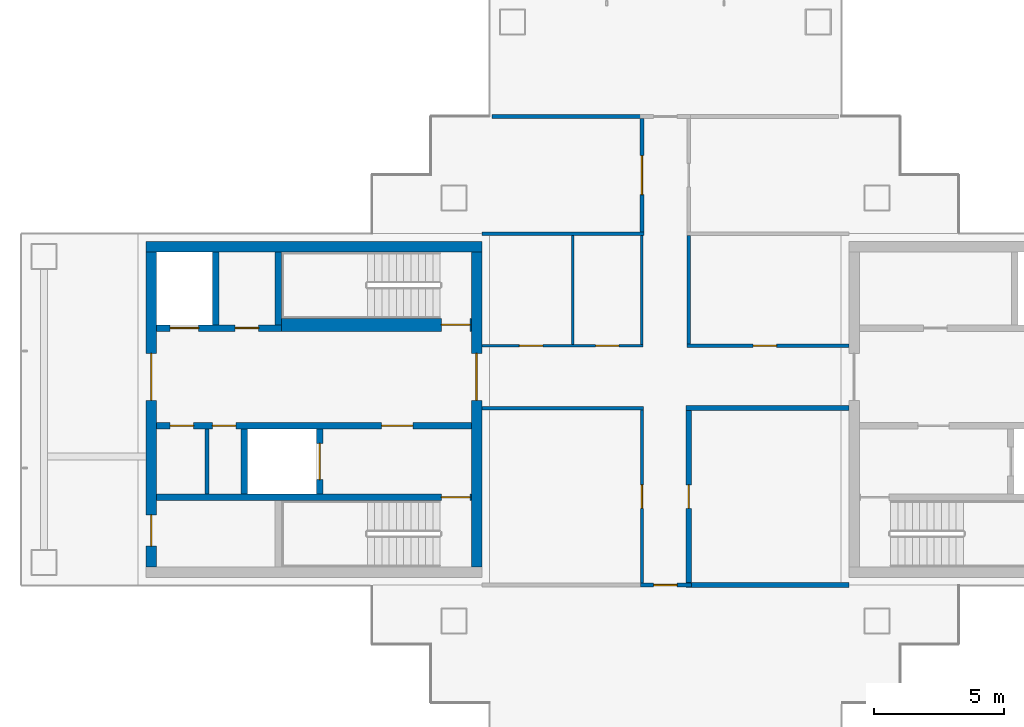
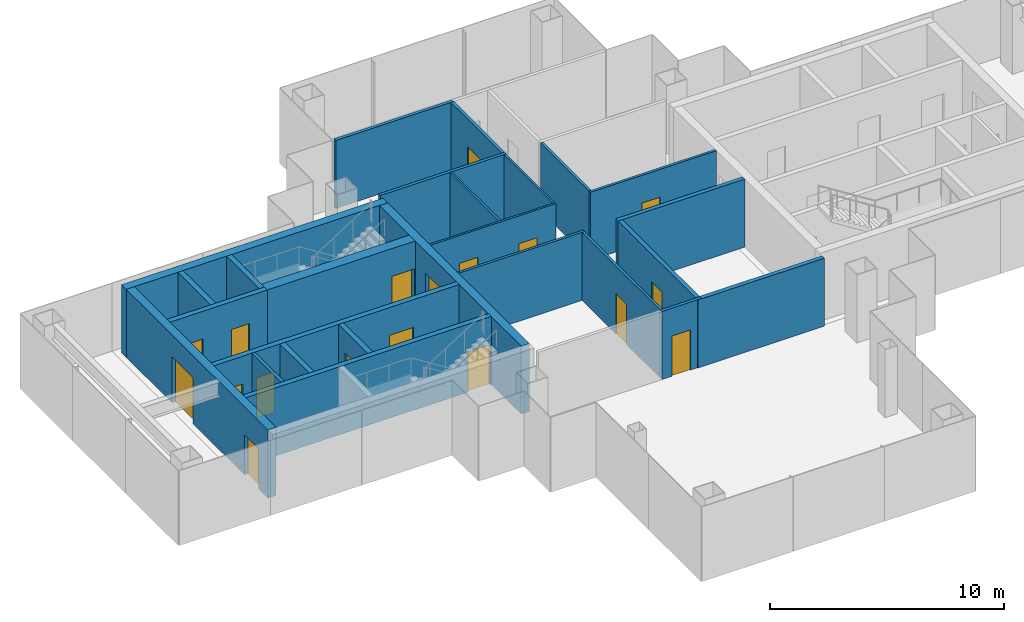
# One storey, part 9 of 16: 26 walls, 18 doors, 18 openings.
"""IFC4 building model written with IfcOpenShell, lengths in metres."""

from ifc_helpers import new_model, si_unit, direction, frame, frame_2d, origin, place, context, subcontext, project, spatial, rectangle, extrude, material, layer, layer_set, type_object, element, fill, save


model = new_model("IFC4")

# Units and contexts
model_context = context("Model", 3, precision=1e-05, world=origin(), true_north=direction((0.0, 1.0)))
body_context = subcontext(model_context, "Body", "Model", "MODEL_VIEW")
ifc_project = project(units=[si_unit("LENGTHUNIT", "METRE"), si_unit("AREAUNIT", "SQUARE_METRE"), si_unit("VOLUMEUNIT", "CUBIC_METRE"), si_unit("PLANEANGLEUNIT", "RADIAN"), si_unit("MASSUNIT", "GRAM", prefix="KILO")], contexts=[model_context])

# Site, building, storey
site_placement = place(None, origin())
site = spatial("IfcSite", under=ifc_project, at=site_placement, CompositionType="ELEMENT")
building_placement = place(site_placement, origin())
building = spatial("IfcBuilding", under=site, at=building_placement, Name="Shamsa Quay Exchange Towers", CompositionType="ELEMENT")
storey_placement = place(building_placement, frame((0.0, 0.0, 210.0)))
storey = spatial("IfcBuildingStorey", under=building, at=storey_placement, Name="L50", CompositionType="ELEMENT", Elevation=210.0)

# Wall
ifc_material_1 = material(Name="Concrete C60/75", Category="concrete")
ifc_layer_1 = layer(ifc_material_1, 0.39990234375)
ifc_layer_set_1 = layer_set([ifc_layer_1], Name="CORE WALL 400 C60/75")
wall_type_1 = type_object("IfcWallType", Name="CORE WALL 400 C60/75", PredefinedType="SHEAR", material=ifc_layer_set_1)
wall_1_placement = place(storey_placement, frame((-40.800048828125, 6.25, 0.0), z_axis=(0.0, 0.0, 1.0), x_axis=(-1.0, 0.0, 0.0)))
element("IfcWall", 1, at=wall_1_placement, inside=storey, type_object=wall_type_1, Name="Core wall T1B-R23-PN", PredefinedType="SHEAR", context=body_context, shape_type="SweptSolid", body=[
    extrude(rectangle(XDim=12.89990234375, YDim=0.39990234375, at=frame_2d((6.449951171875, 0.0))), origin(), (0.0, 0.0, 1.0), 3.550048828125),
])

# Wall, opening, door
wall_2_placement = place(storey_placement, frame((-41.0, -6.050048828125, 0.0), z_axis=(0.0, 0.0, 1.0), x_axis=(0.0, 1.0, 0.0)))
wall_2 = element("IfcWall", 2, at=wall_2_placement, inside=storey, type_object=wall_type_1, Name="Core wall T1B-R23-PF", PredefinedType="SHEAR", context=body_context, shape_type="SweptSolid", body=[
    extrude(rectangle(XDim=12.10009765625, YDim=0.39990234375, at=frame_2d((6.050048828125, 0.0))), origin(), (0.0, 0.0, 1.0), 3.550048828125),
])
opening_1_placement = place(wall_2_placement, frame((6.39990234375, 0.0, 0.0)))
opening_1 = element("IfcOpeningElement", 3, at=opening_1_placement, cuts=wall_2, Name="Opening T1B-R23-LBD01", PredefinedType="OPENING", context=body_context, shape_type="SweptSolid", body=[
    extrude(rectangle(XDim=1.800048828125, YDim=2.39990234375, at=frame_2d((0.89990234375, 1.199951171875))), frame((0.0, 0.2099609375, 0.0), z_axis=(0.0, -1.0, 0.0), x_axis=(1.0, 0.0, 0.0)), (0.0, 0.0, 1.0), 0.419921875),
])
ifc_material_2 = material(Name="Steel, fire rated", Category="steel")
door_type_1 = type_object("IfcDoorType", Name="LIFT LOBBY DOOR PAIR 1800", OperationType="DOUBLE_DOOR_SINGLE_SWING", PredefinedType="DOOR", material=ifc_material_2)
door_1_placement = place(opening_1_placement, origin())
door_1 = element("IfcDoor", 4, at=door_1_placement, inside=storey, type_object=door_type_1, Name="T1B-R23-LBD01", OperationType="DOUBLE_DOOR_SINGLE_SWING", OverallHeight=2.39990234375, OverallWidth=1.800048828125, PredefinedType="DOOR", context=body_context, shape_type="SweptSolid", body=[
    extrude(rectangle(XDim=1.800048828125, YDim=2.39990234375, at=frame_2d((0.89990234375, 1.199951171875))), frame((0.0, 0.02490234375, 0.0), z_axis=(0.0, -1.0, 0.0), x_axis=(1.0, 0.0, 0.0)), (0.0, 0.0, 1.0), 0.050048828125),
])
fill(opening_1, door_1)

# Wall, openings, doors
wall_3_placement = place(storey_placement, frame((-53.5, -6.050048828125, 0.0), z_axis=(0.0, 0.0, 1.0), x_axis=(0.0, 1.0, 0.0)))
wall_3 = element("IfcWall", 5, at=wall_3_placement, inside=storey, type_object=wall_type_1, Name="Core wall T1B-R23-PB", PredefinedType="SHEAR", context=body_context, shape_type="SweptSolid", body=[
    extrude(rectangle(XDim=12.10009765625, YDim=0.39990234375, at=frame_2d((6.050048828125, 0.0))), origin(), (0.0, 0.0, 1.0), 3.550048828125),
])
opening_2_placement = place(wall_3_placement, frame((0.800048828125, 0.0, 0.0)))
opening_2 = element("IfcOpeningElement", 6, at=opening_2_placement, cuts=wall_3, Name="Opening T1B-R23-RD02", PredefinedType="OPENING", context=body_context, shape_type="SweptSolid", body=[
    extrude(rectangle(XDim=1.199951171875, YDim=2.10009765625, at=frame_2d((0.60009765625, 1.050048828125))), frame((0.0, 0.2099609375, 0.0), z_axis=(0.0, -1.0, 0.0), x_axis=(1.0, 0.0, 0.0)), (0.0, 0.0, 1.0), 0.419921875),
])
opening_3_placement = place(wall_3_placement, frame((6.39990234375, 0.0, 0.0)))
opening_3 = element("IfcOpeningElement", 7, at=opening_3_placement, cuts=wall_3, Name="Opening T1B-R23-LBD03", PredefinedType="OPENING", context=body_context, shape_type="SweptSolid", body=[
    extrude(rectangle(XDim=1.800048828125, YDim=2.39990234375, at=frame_2d((0.89990234375, 1.199951171875))), frame((0.0, 0.2099609375, 0.0), z_axis=(0.0, -1.0, 0.0), x_axis=(1.0, 0.0, 0.0)), (0.0, 0.0, 1.0), 0.419921875),
])
door_2_placement = place(opening_3_placement, origin())
door_2 = element("IfcDoor", 8, at=door_2_placement, inside=storey, type_object=door_type_1, Name="T1B-R23-LBD03", OperationType="DOUBLE_DOOR_SINGLE_SWING", OverallHeight=2.39990234375, OverallWidth=1.800048828125, PredefinedType="DOOR", context=body_context, shape_type="SweptSolid", body=[
    extrude(rectangle(XDim=1.800048828125, YDim=2.39990234375, at=frame_2d((0.89990234375, 1.199951171875))), frame((0.0, 0.02490234375, 0.0), z_axis=(0.0, -1.0, 0.0), x_axis=(1.0, 0.0, 0.0)), (0.0, 0.0, 1.0), 0.050048828125),
])
fill(opening_3, door_2)
door_type_2 = type_object("IfcDoorType", Name="RISER ACCESS DOOR 1200", OperationType="SINGLE_SWING_LEFT", PredefinedType="DOOR", material=ifc_material_2)
door_3_placement = place(opening_2_placement, origin())
door_3 = element("IfcDoor", 9, at=door_3_placement, inside=storey, type_object=door_type_2, Name="T1B-R23-RD02", OperationType="SINGLE_SWING_LEFT", OverallHeight=2.10009765625, OverallWidth=1.199951171875, PredefinedType="DOOR", context=body_context, shape_type="SweptSolid", body=[
    extrude(rectangle(XDim=1.199951171875, YDim=2.10009765625, at=frame_2d((0.60009765625, 1.050048828125))), frame((0.0, 0.02490234375, 0.0), z_axis=(0.0, -1.0, 0.0), x_axis=(1.0, 0.0, 0.0)), (0.0, 0.0, 1.0), 0.050048828125),
])
fill(opening_2, door_3)

# Walls
ifc_material_3 = material(Name="Gypsum board on steel studs, EI 60", Category="steel")
ifc_layer_2 = layer(ifc_material_3, 0.14990234375)
ifc_layer_set_2 = layer_set([ifc_layer_2], Name="FIRE PARTITION 150")
wall_type_2 = type_object("IfcWallType", Name="FIRE PARTITION 150", PredefinedType="PARTITIONING", material=ifc_layer_set_2)
wall_4_placement = place(storey_placement, frame((-51.35009765625, -3.25, 0.0), z_axis=(0.0, 0.0, 1.0), x_axis=(0.0, 1.0, 0.0)))
element("IfcWall", 10, at=wall_4_placement, inside=storey, type_object=wall_type_2, Name="Partition T1B-R23-EC0", PredefinedType="PARTITIONING", context=body_context, shape_type="SweptSolid", body=[
    extrude(rectangle(XDim=2.5, YDim=0.14990234375, at=frame_2d((1.25, 0.0))), origin(), (0.0, 0.0, 1.0), 3.550048828125),
])
ifc_material_4 = material(Name="Laminated fire-resisting glass in a metal frame", Category="glass")
ifc_layer_3 = layer(ifc_material_4, 0.125)
ifc_layer_set_3 = layer_set([ifc_layer_3], Name="Glazed partition 125 mm EI 60")
wall_type_3 = type_object("IfcWallType", Name="Glazed partition 125 mm EI 60", PredefinedType="PARTITIONING", material=ifc_layer_set_3)
wall_5_placement = place(storey_placement, frame((-32.849609375, 6.675048828125, 0.0), z_axis=(0.0, 0.0, 1.0), x_axis=(0.0, -1.0, 0.0)))
element("IfcWall", 11, at=wall_5_placement, inside=storey, type_object=wall_type_3, Name="Partition T1-R23-W01", PredefinedType="PARTITIONING", context=body_context, shape_type="SweptSolid", body=[
    extrude(rectangle(XDim=4.162353515625, YDim=0.125, at=frame_2d((2.0810546875, 0.0))), origin(), (0.0, 0.0, 1.0), 3.550048828125),
])

# Wall, opening, door
wall_6_placement = place(storey_placement, frame((-32.912109375, 2.4501953125, 0.0)))
wall_6 = element("IfcWall", 12, at=wall_6_placement, inside=storey, type_object=wall_type_3, Name="Partition T1-R23-W02", PredefinedType="PARTITIONING", context=body_context, shape_type="SweptSolid", body=[
    extrude(rectangle(XDim=6.212158203125, YDim=0.125, at=frame_2d((3.10595703125, 0.0))), origin(), (0.0, 0.0, 1.0), 3.550048828125),
])
opening_4_placement = place(wall_6_placement, frame((2.537353515625, 0.0, 0.0)))
opening_4 = element("IfcOpeningElement", 13, at=opening_4_placement, cuts=wall_6, Name="Opening T1-R23-D08", PredefinedType="OPENING", context=body_context, shape_type="SweptSolid", body=[
    extrude(rectangle(XDim=0.89990234375, YDim=2.10009765625, at=frame_2d((0.449951171875, 1.050048828125))), frame((0.0, 0.072509765625, 0.0), z_axis=(0.0, -1.0, 0.0), x_axis=(1.0, 0.0, 0.0)), (0.0, 0.0, 1.0), 0.14501953125),
])
ifc_material_5 = material(Name="Timber door leaf in a metal frame", Category="wood")
door_type_3 = type_object("IfcDoorType", Name="Door 900x2100 FD30S", OperationType="NOTDEFINED", PredefinedType="DOOR", material=ifc_material_5)
door_4_placement = place(opening_4_placement, origin())
door_4 = element("IfcDoor", 14, at=door_4_placement, inside=storey, type_object=door_type_3, Name="Door T1-R23-D08", OperationType="SINGLE_SWING_RIGHT", OverallHeight=2.10009765625, OverallWidth=0.89990234375, PredefinedType="DOOR", context=body_context, shape_type="SweptSolid", body=[
    extrude(rectangle(XDim=0.89990234375, YDim=2.10009765625, at=frame_2d((0.449951171875, 1.050048828125))), frame((0.0, 0.02490234375, 0.0), z_axis=(0.0, -1.0, 0.0), x_axis=(1.0, 0.0, 0.0)), (0.0, 0.0, 1.0), 0.050048828125),
])
fill(opening_4, door_4)

wall_7_placement = place(storey_placement, frame((-34.650390625, -6.675048828125, 0.0), z_axis=(0.0, 0.0, 1.0), x_axis=(0.0, 1.0, 0.0)))
wall_7 = element("IfcWall", 15, at=wall_7_placement, inside=storey, type_object=wall_type_3, Name="Partition T1-R23-W07", PredefinedType="PARTITIONING", context=body_context, shape_type="SweptSolid", body=[
    extrude(rectangle(XDim=6.662353515625, YDim=0.125, at=frame_2d((3.3310546875, 0.0))), origin(), (0.0, 0.0, 1.0), 3.550048828125),
])
opening_5_placement = place(wall_7_placement, frame((2.875, 0.0, 0.0)))
opening_5 = element("IfcOpeningElement", 16, at=opening_5_placement, cuts=wall_7, Name="Opening T1-R23-D03", PredefinedType="OPENING", context=body_context, shape_type="SweptSolid", body=[
    extrude(rectangle(XDim=0.89990234375, YDim=2.10009765625, at=frame_2d((0.449951171875, 1.050048828125))), frame((0.0, 0.072509765625, 0.0), z_axis=(0.0, -1.0, 0.0), x_axis=(1.0, 0.0, 0.0)), (0.0, 0.0, 1.0), 0.14501953125),
])
door_5_placement = place(opening_5_placement, origin())
door_5 = element("IfcDoor", 17, at=door_5_placement, inside=storey, type_object=door_type_3, Name="Door T1-R23-D03", OperationType="SINGLE_SWING_RIGHT", OverallHeight=2.10009765625, OverallWidth=0.89990234375, PredefinedType="DOOR", context=body_context, shape_type="SweptSolid", body=[
    extrude(rectangle(XDim=0.89990234375, YDim=2.10009765625, at=frame_2d((0.449951171875, 1.050048828125))), frame((0.0, 0.02490234375, 0.0), z_axis=(0.0, -1.0, 0.0), x_axis=(1.0, 0.0, 0.0)), (0.0, 0.0, 1.0), 0.050048828125),
])
fill(opening_5, door_5)

# Wall
wall_8_placement = place(storey_placement, frame((-34.587890625, 0.0498046875, 0.0), z_axis=(0.0, 0.0, 1.0), x_axis=(-1.0, 0.0, 0.0)))
element("IfcWall", 18, at=wall_8_placement, inside=storey, type_object=wall_type_3, Name="Partition T1-R23-W08", PredefinedType="PARTITIONING", context=body_context, shape_type="SweptSolid", body=[
    extrude(rectangle(XDim=6.212158203125, YDim=0.125, at=frame_2d((3.10595703125, 0.0))), origin(), (0.0, 0.0, 1.0), 3.550048828125),
])

# Wall, openings, doors
ifc_material_6 = material(Name="Gypsum board partition on metal studs")
ifc_layer_4 = layer(ifc_material_6, 0.10009765625)
ifc_layer_set_4 = layer_set([ifc_layer_4], Name="Partition 100 mm NOT RATED")
wall_type_4 = type_object("IfcWallType", Name="Partition 100 mm NOT RATED", PredefinedType="PARTITIONING", material=ifc_layer_set_4)
wall_9_placement = place(storey_placement, frame((-40.800048828125, 2.4501953125, 0.0)))
wall_9 = element("IfcWall", 19, at=wall_9_placement, inside=storey, type_object=wall_type_4, Name="Partition T1-R23-W05", PredefinedType="PARTITIONING", context=body_context, shape_type="SweptSolid", body=[
    extrude(rectangle(XDim=6.19970703125, YDim=0.10009765625, at=frame_2d((3.099853515625, 0.0))), origin(), (0.0, 0.0, 1.0), 3.550048828125),
])
opening_6_placement = place(wall_9_placement, frame((1.44384765625, 0.0, 0.0)))
opening_6 = element("IfcOpeningElement", 20, at=opening_6_placement, cuts=wall_9, Name="Opening T1-R23-D01", PredefinedType="OPENING", context=body_context, shape_type="SweptSolid", body=[
    extrude(rectangle(XDim=0.89990234375, YDim=2.10009765625, at=frame_2d((0.449951171875, 1.050048828125))), frame((0.0, 0.06005859375, 0.0), z_axis=(0.0, -1.0, 0.0), x_axis=(1.0, 0.0, 0.0)), (0.0, 0.0, 1.0), 0.1201171875),
])
opening_7_placement = place(wall_9_placement, frame((4.368408203125, 0.0, 0.0)))
opening_7 = element("IfcOpeningElement", 21, at=opening_7_placement, cuts=wall_9, Name="Opening T1-R23-D02", PredefinedType="OPENING", context=body_context, shape_type="SweptSolid", body=[
    extrude(rectangle(XDim=0.89990234375, YDim=2.10009765625, at=frame_2d((0.449951171875, 1.050048828125))), frame((0.0, 0.06005859375, 0.0), z_axis=(0.0, -1.0, 0.0), x_axis=(1.0, 0.0, 0.0)), (0.0, 0.0, 1.0), 0.1201171875),
])
door_type_4 = type_object("IfcDoorType", Name="Door 900x2100 NOT RATED", OperationType="NOTDEFINED", PredefinedType="DOOR", material=ifc_material_5)
door_6_placement = place(opening_6_placement, origin())
door_6 = element("IfcDoor", 22, at=door_6_placement, inside=storey, type_object=door_type_4, Name="Door T1-R23-D01", OperationType="SINGLE_SWING_LEFT", OverallHeight=2.10009765625, OverallWidth=0.89990234375, PredefinedType="DOOR", context=body_context, shape_type="SweptSolid", body=[
    extrude(rectangle(XDim=0.89990234375, YDim=2.10009765625, at=frame_2d((0.449951171875, 1.050048828125))), frame((0.0, 0.02490234375, 0.0), z_axis=(0.0, -1.0, 0.0), x_axis=(1.0, 0.0, 0.0)), (0.0, 0.0, 1.0), 0.050048828125),
])
fill(opening_6, door_6)
door_7_placement = place(opening_7_placement, origin())
door_7 = element("IfcDoor", 23, at=door_7_placement, inside=storey, type_object=door_type_4, Name="Door T1-R23-D02", OperationType="SINGLE_SWING_RIGHT", OverallHeight=2.10009765625, OverallWidth=0.89990234375, PredefinedType="DOOR", context=body_context, shape_type="SweptSolid", body=[
    extrude(rectangle(XDim=0.89990234375, YDim=2.10009765625, at=frame_2d((0.449951171875, 1.050048828125))), frame((0.0, 0.02490234375, 0.0), z_axis=(0.0, -1.0, 0.0), x_axis=(1.0, 0.0, 0.0)), (0.0, 0.0, 1.0), 0.050048828125),
])
fill(opening_7, door_7)

# Walls
for number, where, z_axis, x_axis, name in (
    (24, (-34.650390625, 2.500244140625, 0.0), (0.0, 0.0, 1.0), (0.0, 1.0, 0.0), "Partition T1-R23-W06"),
    (25, (-37.3125, 2.500244140625, 0.0), (0.0, 0.0, 1.0), (0.0, 1.0, 0.0), "Partition T1-R23-W16"),
):
    element("IfcWall", number, at=place(storey_placement, frame(where, z_axis=z_axis, x_axis=x_axis)), inside=storey, type_object=wall_type_4, Name=name, PredefinedType="PARTITIONING", context=body_context, shape_type="SweptSolid", body=[
        extrude(rectangle(XDim=4.1748046875, YDim=0.10009765625, at=frame_2d((2.08740234375, 0.0))), origin(), (0.0, 0.0, 1.0), 3.550048828125),
    ])

# Wall, opening, door
ifc_layer_5 = layer(ifc_material_6, 0.14990234375)
ifc_layer_set_5 = layer_set([ifc_layer_5], Name="Partition 150 mm EI 60")
wall_type_5 = type_object("IfcWallType", Name="Partition 150 mm EI 60", PredefinedType="PARTITIONING", material=ifc_layer_set_5)
wall_10_placement = place(storey_placement, frame((-34.650390625, 6.824951171875, 0.0), z_axis=(0.0, 0.0, 1.0), x_axis=(0.0, 1.0, 0.0)))
wall_10 = element("IfcWall", 26, at=wall_10_placement, inside=storey, type_object=wall_type_5, Name="Partition T1-R23-W10", PredefinedType="PARTITIONING", context=body_context, shape_type="SweptSolid", body=[
    extrude(rectangle(XDim=4.35009765625, YDim=0.14990234375, at=frame_2d((2.175048828125, 0.0))), origin(), (0.0, 0.0, 1.0), 3.550048828125),
])
opening_8_placement = place(wall_10_placement, frame((1.425048828125, 0.0, 0.0)))
opening_8 = element("IfcOpeningElement", 27, at=opening_8_placement, cuts=wall_10, Name="Opening T1-R23-D04", PredefinedType="OPENING", context=body_context, shape_type="SweptSolid", body=[
    extrude(rectangle(XDim=1.5, YDim=2.10009765625, at=frame_2d((0.75, 1.050048828125))), frame((0.0, 0.0849609375, 0.0), z_axis=(0.0, -1.0, 0.0), x_axis=(1.0, 0.0, 0.0)), (0.0, 0.0, 1.0), 0.169921875),
])
door_type_5 = type_object("IfcDoorType", Name="Door 1500x2100 FD30S pair", OperationType="NOTDEFINED", PredefinedType="DOOR", material=ifc_material_5)
door_8_placement = place(opening_8_placement, origin())
door_8 = element("IfcDoor", 28, at=door_8_placement, inside=storey, type_object=door_type_5, Name="Door T1-R23-D04", OperationType="DOUBLE_DOOR_SINGLE_SWING", OverallHeight=2.10009765625, OverallWidth=1.5, PredefinedType="DOOR", context=body_context, shape_type="SweptSolid", body=[
    extrude(rectangle(XDim=1.5, YDim=2.10009765625, at=frame_2d((0.75, 1.050048828125))), frame((0.0, 0.02490234375, 0.0), z_axis=(0.0, -1.0, 0.0), x_axis=(1.0, 0.0, 0.0)), (0.0, 0.0, 1.0), 0.050048828125),
])
fill(opening_8, door_8)

wall_11_placement = place(storey_placement, frame((-32.74951171875, -6.75, 0.0), z_axis=(0.0, 0.0, 1.0), x_axis=(-1.0, 0.0, 0.0)))
wall_11 = element("IfcWall", 29, at=wall_11_placement, inside=storey, type_object=wall_type_5, Name="Partition T1-R23-W12", PredefinedType="PARTITIONING", context=body_context, shape_type="SweptSolid", body=[
    extrude(rectangle(XDim=1.96337890625, YDim=0.14990234375, at=frame_2d((0.981689453125, 0.0))), origin(), (0.0, 0.0, 1.0), 3.550048828125),
])
opening_9_placement = place(wall_11_placement, frame((0.55029296875, 0.0, 0.0)))
opening_9 = element("IfcOpeningElement", 30, at=opening_9_placement, cuts=wall_11, Name="Opening T1-R23-D06", PredefinedType="OPENING", context=body_context, shape_type="SweptSolid", body=[
    extrude(rectangle(XDim=0.89990234375, YDim=2.10009765625, at=frame_2d((0.449951171875, 1.050048828125))), frame((0.0, 0.0849609375, 0.0), z_axis=(0.0, -1.0, 0.0), x_axis=(1.0, 0.0, 0.0)), (0.0, 0.0, 1.0), 0.169921875),
])
door_9_placement = place(opening_9_placement, origin())
door_9 = element("IfcDoor", 31, at=door_9_placement, inside=storey, type_object=door_type_3, Name="Door T1-R23-D06", OperationType="SINGLE_SWING_LEFT", OverallHeight=2.10009765625, OverallWidth=0.89990234375, PredefinedType="DOOR", context=body_context, shape_type="SweptSolid", body=[
    extrude(rectangle(XDim=0.89990234375, YDim=2.10009765625, at=frame_2d((0.449951171875, 1.050048828125))), frame((0.0, 0.02490234375, 0.0), z_axis=(0.0, -1.0, 0.0), x_axis=(1.0, 0.0, 0.0)), (0.0, 0.0, 1.0), 0.050048828125),
])
fill(opening_9, door_9)

# Walls
wall_12_placement = place(storey_placement, frame((-34.575439453125, 6.75, 0.0), z_axis=(0.0, 0.0, 1.0), x_axis=(-1.0, 0.0, 0.0)))
element("IfcWall", 32, at=wall_12_placement, inside=storey, type_object=wall_type_5, Name="Partition T1-R23-W14", PredefinedType="PARTITIONING", context=body_context, shape_type="SweptSolid", body=[
    extrude(rectangle(XDim=6.224609375, YDim=0.14990234375, at=frame_2d((3.1123046875, 0.0))), origin(), (0.0, 0.0, 1.0), 3.550048828125),
])
wall_13_placement = place(storey_placement, frame((-34.575439453125, 11.25, 0.0), z_axis=(0.0, 0.0, 1.0), x_axis=(-1.0, 0.0, 0.0)))
element("IfcWall", 33, at=wall_13_placement, inside=storey, type_object=wall_type_5, Name="Partition T1-R23-W19", PredefinedType="PARTITIONING", context=body_context, shape_type="SweptSolid", body=[
    extrude(rectangle(XDim=5.82958984375, YDim=0.14990234375, at=frame_2d((2.914794921875, 0.0))), origin(), (0.0, 0.0, 1.0), 3.550048828125),
])
ifc_layer_6 = layer(ifc_material_6, 0.199951171875)
ifc_layer_set_6 = layer_set([ifc_layer_6], Name="Partition 200 mm EI 120")
wall_type_6 = type_object("IfcWallType", Name="Partition 200 mm EI 120", PredefinedType="PARTITIONING", material=ifc_layer_set_6)
wall_14_placement = place(storey_placement, frame((-26.699951171875, 0.0498046875, 0.0), z_axis=(0.0, 0.0, 1.0), x_axis=(-1.0, 0.0, 0.0)))
element("IfcWall", 34, at=wall_14_placement, inside=storey, type_object=wall_type_6, Name="Partition T1-R23-W03", PredefinedType="PARTITIONING", context=body_context, shape_type="SweptSolid", body=[
    extrude(rectangle(XDim=6.249755859375, YDim=0.199951171875, at=frame_2d((3.125, 0.0))), origin(), (0.0, 0.0, 1.0), 3.550048828125),
])

# Wall, opening, door
wall_15_placement = place(storey_placement, frame((-32.849609375, -0.05029296875, 0.0), z_axis=(0.0, 0.0, 1.0), x_axis=(0.0, -1.0, 0.0)))
wall_15 = element("IfcWall", 35, at=wall_15_placement, inside=storey, type_object=wall_type_6, Name="Partition T1-R23-W04", PredefinedType="PARTITIONING", context=body_context, shape_type="SweptSolid", body=[
    extrude(rectangle(XDim=6.599609375, YDim=0.199951171875, at=frame_2d((3.2998046875, 0.0))), origin(), (0.0, 0.0, 1.0), 3.550048828125),
])
opening_10_placement = place(wall_15_placement, frame((2.849853515625, 0.0, 0.0)))
opening_10 = element("IfcOpeningElement", 36, at=opening_10_placement, cuts=wall_15, Name="Opening T1-R23-D07", PredefinedType="OPENING", context=body_context, shape_type="SweptSolid", body=[
    extrude(rectangle(XDim=0.89990234375, YDim=2.10009765625, at=frame_2d((0.449951171875, 1.050048828125))), frame((0.0, 0.10986328125, 0.0), z_axis=(0.0, -1.0, 0.0), x_axis=(1.0, 0.0, 0.0)), (0.0, 0.0, 1.0), 0.219970703125),
])
door_type_6 = type_object("IfcDoorType", Name="Door 900x2100 FD60", OperationType="NOTDEFINED", PredefinedType="DOOR", material=ifc_material_5)
door_10_placement = place(opening_10_placement, origin())
door_10 = element("IfcDoor", 37, at=door_10_placement, inside=storey, type_object=door_type_6, Name="Door T1-R23-D07", OperationType="SINGLE_SWING_LEFT", OverallHeight=2.10009765625, OverallWidth=0.89990234375, PredefinedType="DOOR", context=body_context, shape_type="SweptSolid", body=[
    extrude(rectangle(XDim=0.89990234375, YDim=2.10009765625, at=frame_2d((0.449951171875, 1.050048828125))), frame((0.0, 0.02490234375, 0.0), z_axis=(0.0, -1.0, 0.0), x_axis=(1.0, 0.0, 0.0)), (0.0, 0.0, 1.0), 0.050048828125),
])
fill(opening_10, door_10)

# Wall
wall_16_placement = place(storey_placement, frame((-32.94970703125, -6.75, 0.0)))
element("IfcWall", 38, at=wall_16_placement, inside=storey, type_object=wall_type_6, Name="Partition T1-R23-W15", PredefinedType="PARTITIONING", context=body_context, shape_type="SweptSolid", body=[
    extrude(rectangle(XDim=6.249755859375, YDim=0.199951171875, at=frame_2d((3.125, 0.0))), origin(), (0.0, 0.0, 1.0), 3.550048828125),
])

# Wall, opening, door
ifc_material_7 = material(Name="Concrete C50/60", Category="concrete")
ifc_layer_7 = layer(ifc_material_7, 0.25)
ifc_layer_set_7 = layer_set([ifc_layer_7], Name="SHAFT WALL 250 C50/60")
wall_type_7 = type_object("IfcWallType", Name="SHAFT WALL 250 C50/60", PredefinedType="SHEAR", material=ifc_layer_set_7)
wall_17_placement = place(storey_placement, frame((-41.199951171875, -3.375, 0.0), z_axis=(0.0, 0.0, 1.0), x_axis=(-1.0, 0.0, 0.0)))
wall_17 = element("IfcWall", 39, at=wall_17_placement, inside=storey, type_object=wall_type_7, Name="Shaft wall T1B-R23-STL", PredefinedType="SHEAR", context=body_context, shape_type="SweptSolid", body=[
    extrude(rectangle(XDim=12.10009765625, YDim=0.25, at=frame_2d((6.050048828125, 0.0))), origin(), (0.0, 0.0, 1.0), 3.550048828125),
])
opening_11_placement = place(wall_17_placement, frame((0.050048828125, 0.0, 0.0)))
opening_11 = element("IfcOpeningElement", 40, at=opening_11_placement, cuts=wall_17, Name="Opening T1B-R23-SD04", PredefinedType="OPENING", context=body_context, shape_type="SweptSolid", body=[
    extrude(rectangle(XDim=1.10009765625, YDim=2.10009765625, at=frame_2d((0.550048828125, 1.050048828125))), frame((0.0, 0.135009765625, 0.0), z_axis=(0.0, -1.0, 0.0), x_axis=(1.0, 0.0, 0.0)), (0.0, 0.0, 1.0), 0.27001953125),
])
door_type_7 = type_object("IfcDoorType", Name="STAIR DOOR 1100", OperationType="SINGLE_SWING_LEFT", PredefinedType="DOOR", material=ifc_material_2)
door_11_placement = place(opening_11_placement, origin())
door_11 = element("IfcDoor", 41, at=door_11_placement, inside=storey, type_object=door_type_7, Name="T1B-R23-SD04", OperationType="SINGLE_SWING_LEFT", OverallHeight=2.10009765625, OverallWidth=1.10009765625, PredefinedType="DOOR", context=body_context, shape_type="SweptSolid", body=[
    extrude(rectangle(XDim=1.10009765625, YDim=2.10009765625, at=frame_2d((0.550048828125, 1.050048828125))), frame((0.0, 0.02490234375, 0.0), z_axis=(0.0, -1.0, 0.0), x_axis=(1.0, 0.0, 0.0)), (0.0, 0.0, 1.0), 0.050048828125),
])
fill(opening_11, door_11)

# Wall, openings, doors
wall_18_placement = place(storey_placement, frame((-41.199951171875, -0.625, 0.0), z_axis=(0.0, 0.0, 1.0), x_axis=(-1.0, 0.0, 0.0)))
wall_18 = element("IfcWall", 42, at=wall_18_placement, inside=storey, type_object=wall_type_7, Name="Shaft wall T1B-R23-B", PredefinedType="SHEAR", context=body_context, shape_type="SweptSolid", body=[
    extrude(rectangle(XDim=12.10009765625, YDim=0.25, at=frame_2d((6.050048828125, 0.0))), origin(), (0.0, 0.0, 1.0), 3.550048828125),
])
opening_12_placement = place(wall_18_placement, frame((2.25, 0.0, 0.0)))
opening_12 = element("IfcOpeningElement", 43, at=opening_12_placement, cuts=wall_18, Name="Opening T1B-R23-FD05", PredefinedType="OPENING", context=body_context, shape_type="SweptSolid", body=[
    extrude(rectangle(XDim=1.199951171875, YDim=2.10009765625, at=frame_2d((0.60009765625, 1.050048828125))), frame((0.0, 0.135009765625, 0.0), z_axis=(0.0, -1.0, 0.0), x_axis=(1.0, 0.0, 0.0)), (0.0, 0.0, 1.0), 0.27001953125),
])
opening_13_placement = place(wall_18_placement, frame((9.050048828125, 0.0, 0.0)))
opening_13 = element("IfcOpeningElement", 44, at=opening_13_placement, cuts=wall_18, Name="Opening T1B-R23-SV06", PredefinedType="OPENING", context=body_context, shape_type="SweptSolid", body=[
    extrude(rectangle(XDim=0.89990234375, YDim=2.10009765625, at=frame_2d((0.449951171875, 1.050048828125))), frame((0.0, 0.135009765625, 0.0), z_axis=(0.0, -1.0, 0.0), x_axis=(1.0, 0.0, 0.0)), (0.0, 0.0, 1.0), 0.27001953125),
])
opening_14_placement = place(wall_18_placement, frame((10.675048828125, 0.0, 0.0)))
opening_14 = element("IfcOpeningElement", 45, at=opening_14_placement, cuts=wall_18, Name="Opening T1B-R23-SV07", PredefinedType="OPENING", context=body_context, shape_type="SweptSolid", body=[
    extrude(rectangle(XDim=0.89990234375, YDim=2.10009765625, at=frame_2d((0.449951171875, 1.050048828125))), frame((0.0, 0.135009765625, 0.0), z_axis=(0.0, -1.0, 0.0), x_axis=(1.0, 0.0, 0.0)), (0.0, 0.0, 1.0), 0.27001953125),
])
door_type_8 = type_object("IfcDoorType", Name="FIRE SERVICE LOBBY DOOR 1200", OperationType="SINGLE_SWING_LEFT", PredefinedType="DOOR", material=ifc_material_2)
door_12_placement = place(opening_12_placement, origin())
door_12 = element("IfcDoor", 46, at=door_12_placement, inside=storey, type_object=door_type_8, Name="T1B-R23-FD05", OperationType="SINGLE_SWING_LEFT", OverallHeight=2.10009765625, OverallWidth=1.199951171875, PredefinedType="DOOR", context=body_context, shape_type="SweptSolid", body=[
    extrude(rectangle(XDim=1.199951171875, YDim=2.10009765625, at=frame_2d((0.60009765625, 1.050048828125))), frame((0.0, 0.02490234375, 0.0), z_axis=(0.0, -1.0, 0.0), x_axis=(1.0, 0.0, 0.0)), (0.0, 0.0, 1.0), 0.050048828125),
])
fill(opening_12, door_12)
door_type_9 = type_object("IfcDoorType", Name="SERVICE ROOM DOOR 900", OperationType="SINGLE_SWING_LEFT", PredefinedType="DOOR", material=ifc_material_2)
door_13_placement = place(opening_13_placement, origin())
door_13 = element("IfcDoor", 47, at=door_13_placement, inside=storey, type_object=door_type_9, Name="T1B-R23-SV06", OperationType="SINGLE_SWING_RIGHT", OverallHeight=2.10009765625, OverallWidth=0.89990234375, PredefinedType="DOOR", context=body_context, shape_type="SweptSolid", body=[
    extrude(rectangle(XDim=0.89990234375, YDim=2.10009765625, at=frame_2d((0.449951171875, 1.050048828125))), frame((0.0, 0.02490234375, 0.0), z_axis=(0.0, -1.0, 0.0), x_axis=(1.0, 0.0, 0.0)), (0.0, 0.0, 1.0), 0.050048828125),
])
fill(opening_13, door_13)
door_14_placement = place(opening_14_placement, origin())
door_14 = element("IfcDoor", 48, at=door_14_placement, inside=storey, type_object=door_type_9, Name="T1B-R23-SV07", OperationType="SINGLE_SWING_RIGHT", OverallHeight=2.10009765625, OverallWidth=0.89990234375, PredefinedType="DOOR", context=body_context, shape_type="SweptSolid", body=[
    extrude(rectangle(XDim=0.89990234375, YDim=2.10009765625, at=frame_2d((0.449951171875, 1.050048828125))), frame((0.0, 0.02490234375, 0.0), z_axis=(0.0, -1.0, 0.0), x_axis=(1.0, 0.0, 0.0)), (0.0, 0.0, 1.0), 0.050048828125),
])
fill(opening_14, door_14)

# Wall, opening, door
wall_19_placement = place(storey_placement, frame((-47.02490234375, -3.25, 0.0), z_axis=(0.0, 0.0, 1.0), x_axis=(0.0, 1.0, 0.0)))
wall_19 = element("IfcWall", 49, at=wall_19_placement, inside=storey, type_object=wall_type_7, Name="Shaft wall T1B-R23-FFF", PredefinedType="SHEAR", context=body_context, shape_type="SweptSolid", body=[
    extrude(rectangle(XDim=2.5, YDim=0.25, at=frame_2d((1.25, 0.0))), origin(), (0.0, 0.0, 1.0), 3.550048828125),
])
opening_15_placement = place(wall_19_placement, frame((0.550048828125, 0.0, 0.0)))
opening_15 = element("IfcOpeningElement", 50, at=opening_15_placement, cuts=wall_19, Name="Opening T1B-R23-LDG08", PredefinedType="OPENING", context=body_context, shape_type="SweptSolid", body=[
    extrude(rectangle(XDim=1.39990234375, YDim=2.39990234375, at=frame_2d((0.699951171875, 1.199951171875))), frame((0.0, 0.135009765625, 0.0), z_axis=(0.0, -1.0, 0.0), x_axis=(1.0, 0.0, 0.0)), (0.0, 0.0, 1.0), 0.27001953125),
])
door_type_10 = type_object("IfcDoorType", Name="GOODS LIFT LANDING DOOR 1400", OperationType="SLIDING_TO_LEFT", PredefinedType="DOOR", material=ifc_material_2)
door_15_placement = place(opening_15_placement, origin())
door_15 = element("IfcDoor", 51, at=door_15_placement, inside=storey, type_object=door_type_10, Name="T1B-R23-LDG08", OperationType="SLIDING_TO_LEFT", OverallHeight=2.39990234375, OverallWidth=1.39990234375, PredefinedType="DOOR", context=body_context, shape_type="SweptSolid", body=[
    extrude(rectangle(XDim=1.39990234375, YDim=2.39990234375, at=frame_2d((0.699951171875, 1.199951171875))), frame((0.0, 0.02490234375, 0.0), z_axis=(0.0, -1.0, 0.0), x_axis=(1.0, 0.0, 0.0)), (0.0, 0.0, 1.0), 0.050048828125),
])
fill(opening_15, door_15)

# Wall
wall_20_placement = place(storey_placement, frame((-49.925048828125, -3.25, 0.0), z_axis=(0.0, 0.0, 1.0), x_axis=(0.0, 1.0, 0.0)))
element("IfcWall", 52, at=wall_20_placement, inside=storey, type_object=wall_type_7, Name="Shaft wall T1B-R23-FFB", PredefinedType="SHEAR", context=body_context, shape_type="SweptSolid", body=[
    extrude(rectangle(XDim=2.5, YDim=0.25, at=frame_2d((1.25, 0.0))), origin(), (0.0, 0.0, 1.0), 3.550048828125),
])

# Wall, openings, doors
wall_21_placement = place(storey_placement, frame((-53.300048828125, 3.125, 0.0)))
wall_21 = element("IfcWall", 53, at=wall_21_placement, inside=storey, type_object=wall_type_7, Name="Shaft wall T1B-R23-N2", PredefinedType="SHEAR", context=body_context, shape_type="SweptSolid", body=[
    extrude(rectangle(XDim=4.800048828125, YDim=0.25, at=frame_2d((2.39990234375, 0.0))), origin(), (0.0, 0.0, 1.0), 3.550048828125),
])
opening_16_placement = place(wall_21_placement, frame((0.52490234375, 0.0, 0.0)))
opening_16 = element("IfcOpeningElement", 54, at=opening_16_placement, cuts=wall_21, Name="Opening T1B-R23-LD10", PredefinedType="OPENING", context=body_context, shape_type="SweptSolid", body=[
    extrude(rectangle(XDim=1.10009765625, YDim=2.10009765625, at=frame_2d((0.550048828125, 1.050048828125))), frame((0.0, 0.135009765625, 0.0), z_axis=(0.0, -1.0, 0.0), x_axis=(1.0, 0.0, 0.0)), (0.0, 0.0, 1.0), 0.27001953125),
])
opening_17_placement = place(wall_21_placement, frame((3.02490234375, 0.0, 0.0)))
opening_17 = element("IfcOpeningElement", 55, at=opening_17_placement, cuts=wall_21, Name="Opening T1B-R23-SV11", PredefinedType="OPENING", context=body_context, shape_type="SweptSolid", body=[
    extrude(rectangle(XDim=0.89990234375, YDim=2.10009765625, at=frame_2d((0.449951171875, 1.050048828125))), frame((0.0, 0.135009765625, 0.0), z_axis=(0.0, -1.0, 0.0), x_axis=(1.0, 0.0, 0.0)), (0.0, 0.0, 1.0), 0.27001953125),
])
door_type_11 = type_object("IfcDoorType", Name="LANDING DOOR 1100", OperationType="SLIDING_TO_LEFT", PredefinedType="DOOR", material=ifc_material_2)
door_16_placement = place(opening_16_placement, origin())
door_16 = element("IfcDoor", 56, at=door_16_placement, inside=storey, type_object=door_type_11, Name="T1B-R23-LD10", OperationType="SLIDING_TO_LEFT", OverallHeight=2.10009765625, OverallWidth=1.10009765625, PredefinedType="DOOR", context=body_context, shape_type="SweptSolid", body=[
    extrude(rectangle(XDim=1.10009765625, YDim=2.10009765625, at=frame_2d((0.550048828125, 1.050048828125))), frame((0.0, 0.02490234375, 0.0), z_axis=(0.0, -1.0, 0.0), x_axis=(1.0, 0.0, 0.0)), (0.0, 0.0, 1.0), 0.050048828125),
])
fill(opening_16, door_16)
door_17_placement = place(opening_17_placement, origin())
door_17 = element("IfcDoor", 57, at=door_17_placement, inside=storey, type_object=door_type_9, Name="T1B-R23-SV11", OperationType="SINGLE_SWING_RIGHT", OverallHeight=2.10009765625, OverallWidth=0.89990234375, PredefinedType="DOOR", context=body_context, shape_type="SweptSolid", body=[
    extrude(rectangle(XDim=0.89990234375, YDim=2.10009765625, at=frame_2d((0.449951171875, 1.050048828125))), frame((0.0, 0.02490234375, 0.0), z_axis=(0.0, -1.0, 0.0), x_axis=(1.0, 0.0, 0.0)), (0.0, 0.0, 1.0), 0.050048828125),
])
fill(opening_17, door_17)

# Walls
for number, where, z_axis, x_axis, name in (
    (58, (-48.625, 3.25, 0.0), (0.0, 0.0, 1.0), (0.0, 1.0, 0.0), "Shaft wall T1B-R23-STF2"),
    (59, (-51.02490234375, 3.25, 0.0), (0.0, 0.0, 1.0), (0.0, 1.0, 0.0), "Shaft wall T1B-R23-D0"),
):
    element("IfcWall", number, at=place(storey_placement, frame(where, z_axis=z_axis, x_axis=x_axis)), inside=storey, type_object=wall_type_7, Name=name, PredefinedType="SHEAR", context=body_context, shape_type="SweptSolid", body=[
        extrude(rectangle(XDim=2.800048828125, YDim=0.25, at=frame_2d((1.39990234375, 0.0))), origin(), (0.0, 0.0, 1.0), 3.550048828125),
    ])

# Wall, opening, door
ifc_layer_8 = layer(ifc_material_7, 0.5)
ifc_layer_set_8 = layer_set([ifc_layer_8], Name="SHAFT WALL 500 C50/60")
wall_type_8 = type_object("IfcWallType", Name="SHAFT WALL 500 C50/60", PredefinedType="SHEAR", material=ifc_layer_set_8)
wall_22_placement = place(storey_placement, frame((-48.5, 3.25, 0.0)))
wall_22 = element("IfcWall", 60, at=wall_22_placement, inside=storey, type_object=wall_type_8, Name="Shaft wall T1B-R23-N", PredefinedType="SHEAR", context=body_context, shape_type="SweptSolid", body=[
    extrude(rectangle(XDim=7.300048828125, YDim=0.5, at=frame_2d((3.64990234375, 0.0))), origin(), (0.0, 0.0, 1.0), 3.550048828125),
])
opening_18_placement = place(wall_22_placement, frame((6.14990234375, 0.0, 0.0)))
opening_18 = element("IfcOpeningElement", 61, at=opening_18_placement, cuts=wall_22, Name="Opening T1B-R23-SD09", PredefinedType="OPENING", context=body_context, shape_type="SweptSolid", body=[
    extrude(rectangle(XDim=1.10009765625, YDim=2.10009765625, at=frame_2d((0.550048828125, 1.050048828125))), frame((0.0, 0.260009765625, 0.0), z_axis=(0.0, -1.0, 0.0), x_axis=(1.0, 0.0, 0.0)), (0.0, 0.0, 1.0), 0.52001953125),
])
door_18_placement = place(opening_18_placement, origin())
door_18 = element("IfcDoor", 62, at=door_18_placement, inside=storey, type_object=door_type_7, Name="T1B-R23-SD09", OperationType="SINGLE_SWING_RIGHT", OverallHeight=2.10009765625, OverallWidth=1.10009765625, PredefinedType="DOOR", context=body_context, shape_type="SweptSolid", body=[
    extrude(rectangle(XDim=1.10009765625, YDim=2.10009765625, at=frame_2d((0.550048828125, 1.050048828125))), frame((0.0, 0.02490234375, 0.0), z_axis=(0.0, -1.0, 0.0), x_axis=(1.0, 0.0, 0.0)), (0.0, 0.0, 1.0), 0.050048828125),
])
fill(opening_18, door_18)

save(model, "model.ifc")
